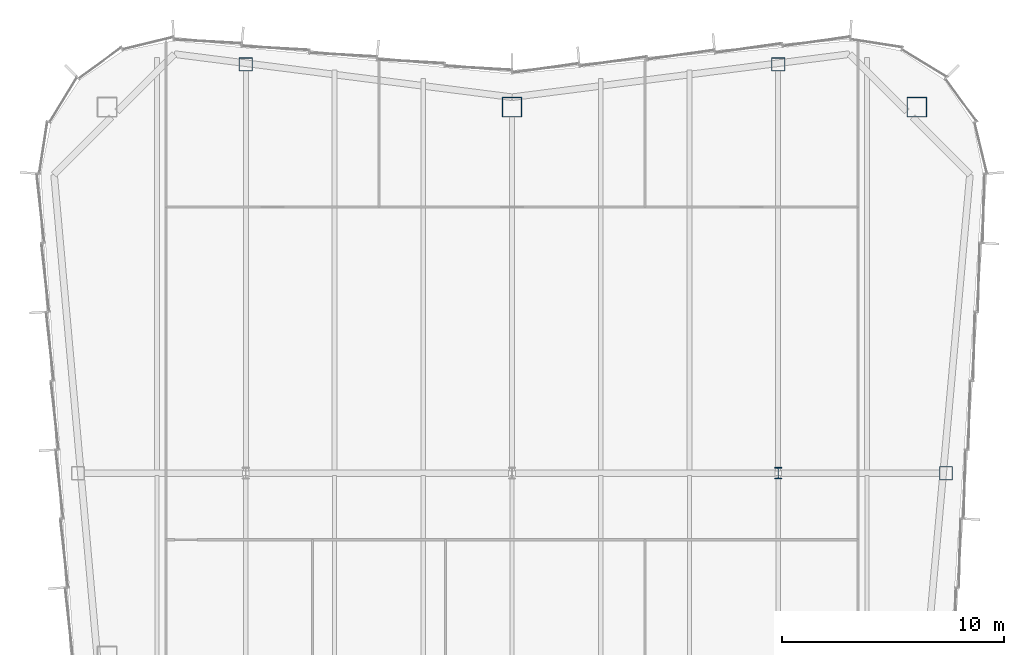
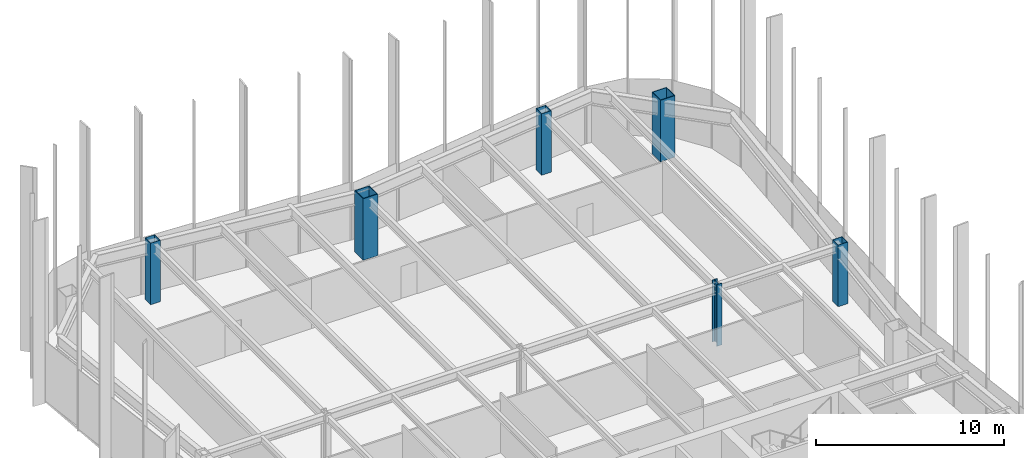
# One storey, part 2 of 13: 6 columns.
"""IFC4 building model written with IfcOpenShell, lengths in metres."""

import ifcopenshell
import ifcopenshell.guid

model = None  # the IFC model being written
_history = None  # IfcOwnerHistory: only IFC2X3 demands one
_inside = {}  # id of a spatial element -> (the spatial element, [elements in it])
_under = {}  # id of a project, library or spatial element -> (it, [spatial elements below it])
_declared = {}  # id of a project -> (the project, [libraries it declares])
_typed = {}  # id of a type object -> (the type object, [elements of that type])
_made_of = {}  # id of a material, layer set ... -> (it, [elements and type objects made of it])


def new_model(schema):
    """Start an empty IFC model of exactly this schema.

    Asked for "IFC4X3", IfcOpenShell would pick the latest addendum, in which some entities
    have other attributes; the version numbers below select the first issue.
    IFC2X3 requires an IfcOwnerHistory on every rooted entity: one is made here for all.
    """
    global model, _history
    if schema == "IFC4X3":
        model = ifcopenshell.file(schema_version=(4, 3, 0, 0))
    else:
        model = ifcopenshell.file(schema=schema)
    _inside.clear()
    _under.clear()
    _declared.clear()
    _typed.clear()
    _made_of.clear()
    _history = None
    if model.schema == "IFC2X3":
        org = make("IfcOrganization", Name="unknown")
        user = make(
            "IfcPersonAndOrganization",
            ThePerson=make("IfcPerson", FamilyName="unknown"),
            TheOrganization=org,
        )
        app = make(
            "IfcApplication",
            ApplicationDeveloper=org,
            Version="unknown",
            ApplicationFullName="unknown",
            ApplicationIdentifier="unknown",
        )
        _history = make(
            "IfcOwnerHistory",
            OwningUser=user,
            OwningApplication=app,
            ChangeAction="ADDED",
            CreationDate=0,
        )
    return model


def make(cls, **values):
    """One entity of the class cls with the attributes given. An attribute that is None is left unset."""
    return model.create_entity(
        cls, **{name: value for name, value in values.items() if value is not None}
    )


def rooted(cls, **values):
    """An entity with a GlobalId (a new one), such as an element, a storey or a relation."""
    return make(cls, GlobalId=ifcopenshell.guid.new(), OwnerHistory=_history, **values)


def si_unit(unit_type, name, prefix=None):
    """IfcSIUnit, for example si_unit("LENGTHUNIT", "METRE", prefix="MILLI")."""
    return make("IfcSIUnit", UnitType=unit_type, Prefix=prefix, Name=name)


def assignment(units):
    """IfcUnitAssignment: the units of a project."""
    return None if units is None else make("IfcUnitAssignment", Units=units)


def point(xyz):
    """IfcCartesianPoint."""
    return None if xyz is None else make("IfcCartesianPoint", Coordinates=xyz)


def direction(xyz):
    """IfcDirection."""
    return None if xyz is None else make("IfcDirection", DirectionRatios=xyz)


def frame(location, z_axis=None, x_axis=None):
    """IfcAxis2Placement3D, a coordinate frame: its origin and axes. An axis left out is left unset."""
    return make(
        "IfcAxis2Placement3D",
        Location=point(location),
        Axis=direction(z_axis),
        RefDirection=direction(x_axis),
    )


def frame_2d(location, x_axis=None):
    """IfcAxis2Placement2D, a coordinate frame in the plane: its origin and x axis."""
    return make(
        "IfcAxis2Placement2D", Location=point(location), RefDirection=direction(x_axis)
    )


def origin():
    """The frame at (0, 0, 0) with its axes left unset."""
    return frame((0.0, 0.0, 0.0))


def origin_2d():
    """The frame at (0, 0) in the plane with its x axis left unset."""
    return frame_2d((0.0, 0.0))


def place(relative_to, where):
    """IfcLocalPlacement: puts the frame where relative to a parent placement (None: the world)."""
    return make(
        "IfcLocalPlacement", PlacementRelTo=relative_to, RelativePlacement=where
    )


def context(
    kind, dimensions, precision=None, world=None, true_north=None, identifier=None
):
    """IfcGeometricRepresentationContext, for example the 3D "Model" context."""
    return make(
        "IfcGeometricRepresentationContext",
        ContextIdentifier=identifier,
        ContextType=kind,
        CoordinateSpaceDimension=dimensions,
        Precision=precision,
        WorldCoordinateSystem=world,
        TrueNorth=true_north,
    )


def subcontext(parent, identifier, kind, view, scale=None):
    """IfcGeometricRepresentationSubContext, for example "Body" below "Model"."""
    return make(
        "IfcGeometricRepresentationSubContext",
        ContextIdentifier=identifier,
        ContextType=kind,
        ParentContext=parent,
        TargetScale=scale,
        TargetView=view,
    )


def project(units=None, contexts=None):
    """IfcProject with its units and contexts."""
    return rooted(
        "IfcProject",
        Name="project",
        RepresentationContexts=contexts,
        UnitsInContext=assignment(units),
    )


def spatial(cls, under=None, at=None, **own):
    """A site, building, storey or space (cls), placed at a placement, below another one or the project."""
    s = rooted(cls, ObjectPlacement=at, **own)
    if under is not None:
        _under.setdefault(under.id(), (under, []))[1].append(s)
    return s


def profile(cls, at=None, kind="AREA", **sizes):
    """A parametric profile (cls). Its sizes go by their IFC names, for example OverallWidth=200.0."""
    return make(cls, ProfileType=kind, Position=at, **sizes)


def hollow_rectangle(**sizes):
    """IfcRectangleHollowProfileDef."""
    return profile("IfcRectangleHollowProfileDef", **sizes)


def i_section(**sizes):
    """IfcIShapeProfileDef."""
    return profile("IfcIShapeProfileDef", **sizes)


def extrude(swept, where, along, depth):
    """IfcExtrudedAreaSolid: the profile swept, set in the frame where, extruded along a direction by depth."""
    return make(
        "IfcExtrudedAreaSolid",
        SweptArea=swept,
        Position=where,
        ExtrudedDirection=direction(along),
        Depth=depth,
    )


def shape(context_of_items, identifier, shape_type, items):
    """IfcShapeRepresentation: the items that make up one representation, for example the "Body"."""
    return make(
        "IfcShapeRepresentation",
        ContextOfItems=context_of_items,
        RepresentationIdentifier=identifier,
        RepresentationType=shape_type,
        Items=items,
    )


def material(Name=None, Category=None):
    """IfcMaterial."""
    return make("IfcMaterial", Name=Name, Category=Category)


def material_profile(
    of_material, cross_section, Name=None, Category=None, Priority=None
):
    """IfcMaterialProfile: a cross section and its material."""
    return make(
        "IfcMaterialProfile",
        Name=Name,
        Material=of_material,
        Profile=cross_section,
        Priority=Priority,
        Category=Category,
    )


def profile_set(profiles, Name=None, composite=None):
    """IfcMaterialProfileSet."""
    return make(
        "IfcMaterialProfileSet",
        Name=Name,
        MaterialProfiles=profiles,
        CompositeProfile=composite,
    )


def made_of(thing, what):
    """Note that an element or type object is made of a material, layer set ...; save() writes the relation."""
    if what is not None:
        _made_of.setdefault(what.id(), (what, []))[1].append(thing)
    return thing


def type_object(cls, material=None, **own):
    """A type object (cls), such as IfcWallType, which elements share."""
    return made_of(rooted(cls, **own), material)


def element(
    cls,
    number,
    at=None,
    inside=None,
    cuts=None,
    type_object=None,
    material=None,
    context=None,
    identifier="Body",
    shape_type=None,
    held_by="IfcProductDefinitionShape",
    body=None,
    shapes=None,
    **own,
):
    """One element of the class cls, such as IfcWall. Its Tag is "e" and its number.

    at: its placement. inside: the storey or other place that contains it. cuts: it is an
    opening in that element (IfcRelVoidsElement). A single representation is given by context,
    identifier, shape_type and body (its items); several are given by shapes. held_by: the class
    of the entity that holds the representations. save() writes the other relations.
    """
    e = rooted(cls, Tag="e%d" % number, ObjectPlacement=at, **own)
    if body is not None:
        shapes = [shape(context, identifier, shape_type, body)]
    if shapes is not None:
        e.Representation = make(held_by, Representations=shapes)
    if inside is not None:
        _inside.setdefault(inside.id(), (inside, []))[1].append(e)
    if cuts is not None:
        rooted(
            "IfcRelVoidsElement", RelatingBuildingElement=cuts, RelatedOpeningElement=e
        )
    if type_object is not None:
        _typed.setdefault(type_object.id(), (type_object, []))[1].append(e)
    return made_of(e, material)


def aggregate(whole, parts):
    """IfcRelAggregates: a whole, such as a stair, and the parts it consists of."""
    return rooted("IfcRelAggregates", RelatingObject=whole, RelatedObjects=parts)


def save(model, path):
    """Write the relations noted so far, then the file.

    IfcRelAggregates (storeys below a building ...), IfcRelContainedInSpatialStructure (elements
    in a storey), IfcRelDefinesByType, IfcRelAssociatesMaterial and IfcRelDeclares: one each for
    every whole, place, type object, material and project.
    """
    for whole, parts in _under.values():
        aggregate(whole, parts)
    for where, things in _inside.values():
        rooted(
            "IfcRelContainedInSpatialStructure",
            RelatedElements=things,
            RelatingStructure=where,
        )
    for kind, things in _typed.values():
        rooted("IfcRelDefinesByType", RelatedObjects=things, RelatingType=kind)
    for what, things in _made_of.values():
        rooted("IfcRelAssociatesMaterial", RelatedObjects=things, RelatingMaterial=what)
    for by, libraries in _declared.values():
        rooted("IfcRelDeclares", RelatingContext=by, RelatedDefinitions=libraries)
    model.write(path)


model = new_model("IFC4")

# Units and contexts
model_context = context("Model", 3, precision=1e-05, world=origin(), true_north=direction((0.0, 1.0)))
body_context = subcontext(model_context, "Body", "Model", "MODEL_VIEW")
ifc_project = project(units=[si_unit("LENGTHUNIT", "METRE"), si_unit("AREAUNIT", "SQUARE_METRE"), si_unit("VOLUMEUNIT", "CUBIC_METRE"), si_unit("PLANEANGLEUNIT", "RADIAN"), si_unit("MASSUNIT", "GRAM", prefix="KILO")], contexts=[model_context])

# Site, building, storey
site_placement = place(None, origin())
site = spatial("IfcSite", under=ifc_project, at=site_placement, CompositionType="ELEMENT")
building_placement = place(site_placement, origin())
building = spatial("IfcBuilding", under=site, at=building_placement, Name="Verdant Reach Tower", CompositionType="ELEMENT")
storey_placement = place(building_placement, frame((0.0, 0.0, 318.0)))
storey = spatial("IfcBuildingStorey", under=building, at=storey_placement, Name="L73", CompositionType="ELEMENT", Elevation=318.0)

# Columns
ifc_material = material(Name="Steel S460", Category="steel")
ifc_material_profile_1 = material_profile(ifc_material, i_section(OverallWidth=0.305908203125, OverallDepth=0.52392578125, WebThickness=0.012451171875, FlangeThickness=0.0400390625, FilletRadius=0.027099609375, at=origin_2d()), Name="HEM 500")
ifc_profile_set_1 = profile_set([ifc_material_profile_1], Name="Steel S460")
column_type_1 = type_object("IfcColumnType", Name="ST-COL-HEM500", PredefinedType="COLUMN", material=ifc_profile_set_1)
column_placement = place(storey_placement, frame((12.0, 49.5, 0.0), z_axis=(0.0, 0.0, 1.0), x_axis=(1.0, 0.0, 0.0)))
element("IfcColumn", 1, at=column_placement, inside=storey, type_object=column_type_1, Name="Interior column 3, L73", PredefinedType="COLUMN", context=body_context, shape_type="SweptSolid", body=[
    extrude(i_section(OverallWidth=0.305908203125, OverallDepth=0.52392578125, WebThickness=0.012451171875, FlangeThickness=0.0400390625, FilletRadius=0.027099609375, at=origin_2d()), origin(), (0.0, 0.0, 1.0), 4.0),
])
ifc_material_profile_2 = material_profile(ifc_material, hollow_rectangle(XDim=0.60009765625, YDim=0.60009765625, WallThickness=0.02490234375, at=origin_2d()), Name="WB 600x600x25")
ifc_profile_set_2 = profile_set([ifc_material_profile_2], Name="Steel S460")
column_type_2 = type_object("IfcColumnType", Name="ST-COL-WB600x600x25", PredefinedType="COLUMN", material=ifc_profile_set_2)
for number, where, z_axis, x_axis, name in (
    (2, (-12.0, 67.930419921875, 0.0), (0.0, 0.0, 1.0), (1.0, 0.0, 0.0), "Perimeter column north 1, L73"),
    (3, (12.0, 67.930419921875, 0.0), (0.0, 0.0, 1.0), (1.0, 0.0, 0.0), "Perimeter column north 2, L73"),
    (4, (19.569091796875, 49.5, 0.0), (0.0, 0.0, 1.0), (1.0, 0.0, 0.0), "Perimeter column east 2, L73"),
):
    element("IfcColumn", number, at=place(storey_placement, frame(where, z_axis=z_axis, x_axis=x_axis)), inside=storey, type_object=column_type_2, Name=name, PredefinedType="COLUMN", context=body_context, shape_type="SweptSolid", body=[
        extrude(hollow_rectangle(XDim=0.60009765625, YDim=0.60009765625, WallThickness=0.02490234375, at=origin_2d()), origin(), (0.0, 0.0, 1.0), 4.0),
    ])
ifc_material_profile_3 = material_profile(ifc_material, hollow_rectangle(XDim=0.89990234375, YDim=0.89990234375, WallThickness=0.0400390625, at=origin_2d()), Name="WB 900x900x40")
ifc_profile_set_3 = profile_set([ifc_material_profile_3], Name="Steel S460")
column_type_3 = type_object("IfcColumnType", Name="ST-COL-WB900x900x40", PredefinedType="COLUMN", material=ifc_profile_set_3)
for number, where, z_axis, x_axis, name in (
    (5, (0.0, 66.0, 0.0), (0.0, 0.0, 1.0), (1.0, 0.0, 0.0), "Mega column north, L73"),
    (6, (18.25, 66.0, 0.0), (0.0, 0.0, 1.0), (1.0, 0.0, 0.0), "Mega column north-east, L73"),
):
    element("IfcColumn", number, at=place(storey_placement, frame(where, z_axis=z_axis, x_axis=x_axis)), inside=storey, type_object=column_type_3, Name=name, PredefinedType="COLUMN", context=body_context, shape_type="SweptSolid", body=[
        extrude(hollow_rectangle(XDim=0.89990234375, YDim=0.89990234375, WallThickness=0.0400390625, at=origin_2d()), origin(), (0.0, 0.0, 1.0), 4.0),
    ])

save(model, "model.ifc")
